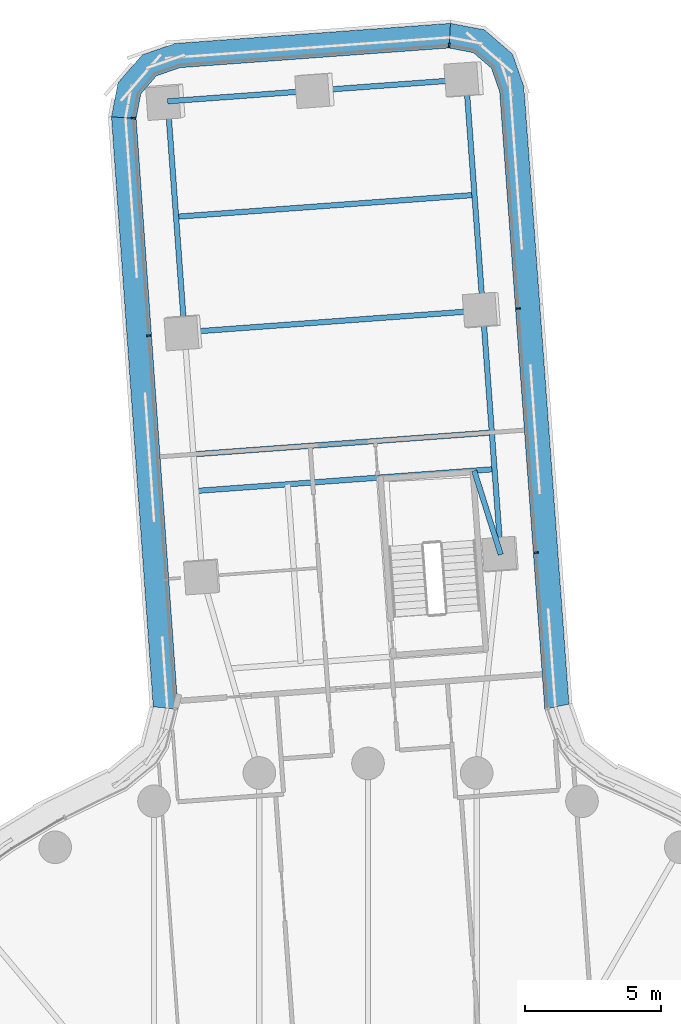
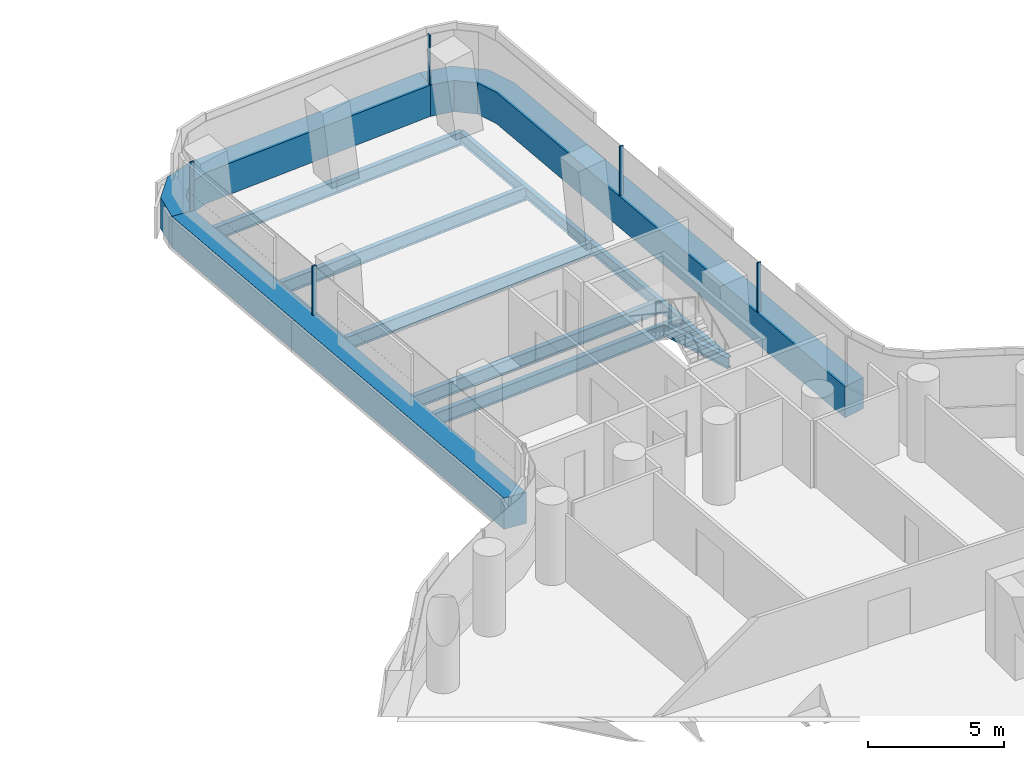
# One storey, part 15 of 31: 10 beams, 8 members, 3 elements without a shape of their own.
"""IFC4 building model written with IfcOpenShell, lengths in metres."""

from ifc_helpers import new_model, si_unit, direction, frame, origin, origin_2d, place, context, subcontext, project, spatial, polyline, rectangle, i_section, outline, extrude, material, layer, layer_set, material_profile, profile_set, type_object, element, aggregate, save


model = new_model("IFC4")

# Units and contexts
model_context = context("Model", 3, precision=1e-05, world=origin(), true_north=direction((0.0, 1.0)))
body_context = subcontext(model_context, "Body", "Model", "MODEL_VIEW")
ifc_project = project(units=[si_unit("LENGTHUNIT", "METRE"), si_unit("AREAUNIT", "SQUARE_METRE"), si_unit("VOLUMEUNIT", "CUBIC_METRE"), si_unit("PLANEANGLEUNIT", "RADIAN"), si_unit("MASSUNIT", "GRAM", prefix="KILO")], contexts=[model_context])

# Site, building, storey
site_placement = place(None, origin())
site = spatial("IfcSite", under=ifc_project, at=site_placement, CompositionType="ELEMENT")
building_placement = place(site_placement, origin())
building = spatial("IfcBuilding", under=site, at=building_placement, Name="Tamarind Cross Interchange Tower", CompositionType="ELEMENT")
storey_placement = place(building_placement, frame((0.0, 0.0, 49.0)))
storey = spatial("IfcBuildingStorey", under=building, at=storey_placement, Name="L10", CompositionType="ELEMENT", Elevation=49.0)

# Beams
ifc_material_1 = material(Name="Steel Q355B", Category="steel")
ifc_material_profile_1 = material_profile(ifc_material_1, i_section(OverallWidth=0.198974609375, OverallDepth=0.49609375, WebThickness=0.009033203125, FlangeThickness=0.013916015625, FilletRadius=0.012939453125, at=origin_2d()), Name="HN 496x199x9x14")
ifc_profile_set_1 = profile_set([ifc_material_profile_1], Name="Steel Q355B")
beam_type_1 = type_object("IfcBeamType", Name="Composite beam HN 496x199x9x14 Q355B", PredefinedType="BEAM", material=ifc_profile_set_1)
beam_1_placement = place(storey_placement, frame((3.604248046875, 48.14501953125, -0.387939453125), z_axis=(0.072873360777, -0.997341202041, 0.0), x_axis=(0.997341202041, 0.072873360777, 0.0)))
element("IfcBeam", 1, at=beam_1_placement, inside=storey, type_object=beam_type_1, Name="Beam N-edgeem5", PredefinedType="BEAM", context=body_context, shape_type="SweptSolid", body=[
    extrude(i_section(OverallWidth=0.198974609375, OverallDepth=0.49609375, WebThickness=0.009033203125, FlangeThickness=0.013916015625, FilletRadius=0.012939453125, at=origin_2d()), origin(), (0.0, 0.0, 1.0), 8.512939453125),
])
beam_2_placement = place(storey_placement, frame((4.224609375, 39.65478515625, -0.387939453125), z_axis=(0.072889426516, -0.997340028026, 0.0), x_axis=(0.997340028026, 0.072889426516, 0.0)))
element("IfcBeam", 2, at=beam_2_placement, inside=storey, type_object=beam_type_1, Name="Beam N-edgeem6", PredefinedType="BEAM", context=body_context, shape_type="SweptSolid", body=[
    extrude(i_section(OverallWidth=0.198974609375, OverallDepth=0.49609375, WebThickness=0.009033203125, FlangeThickness=0.013916015625, FilletRadius=0.012939453125, at=origin_2d()), origin(), (0.0, 0.0, 1.0), 9.0),
])
beam_3_placement = place(storey_placement, frame((-7.366455078125, 47.34326171875, -0.387939453125), z_axis=(0.072875445216, -0.997341049734, 0.0), x_axis=(0.997341049734, 0.072875445216, 0.0)))
element("IfcBeam", 3, at=beam_3_placement, inside=storey, type_object=beam_type_1, Name="Beam N-edgeep2", PredefinedType="BEAM", context=body_context, shape_type="SweptSolid", body=[
    extrude(i_section(OverallWidth=0.198974609375, OverallDepth=0.49609375, WebThickness=0.009033203125, FlangeThickness=0.013916015625, FilletRadius=0.012939453125, at=origin_2d()), origin(), (0.0, 0.0, 1.0), 8.5126953125),
])
beam_4_placement = place(storey_placement, frame((4.880615234375, 30.6787109375, -0.387939453125), z_axis=(-0.301964797546, 0.953319076198, 0.0), x_axis=(-0.953319076198, -0.301964797546, 0.0)))
element("IfcBeam", 4, at=beam_4_placement, inside=storey, type_object=beam_type_1, Name="Beam N-tr0", PredefinedType="BEAM", context=body_context, shape_type="SweptSolid", body=[
    extrude(i_section(OverallWidth=0.198974609375, OverallDepth=0.49609375, WebThickness=0.009033203125, FlangeThickness=0.013916015625, FilletRadius=0.012939453125, at=origin_2d()), origin(), (0.0, 0.0, 1.0), 3.238037109375),
])
ifc_material_profile_2 = material_profile(ifc_material_1, i_section(OverallWidth=0.199951171875, OverallDepth=0.60009765625, WebThickness=0.010986328125, FlangeThickness=0.01708984375, FilletRadius=0.012939453125, at=origin_2d()), Name="HN 600x200x11x17")
ifc_profile_set_2 = profile_set([ifc_material_profile_2], Name="Steel Q355B")
beam_type_2 = type_object("IfcBeamType", Name="Composite beam HN 600x200x11x17 Q355B", PredefinedType="BEAM", material=ifc_profile_set_2)
for number, where, z_axis, x_axis, name in (
    (5, (3.604248046875, 48.14501953125, -0.43994140625), (-0.997340181092, -0.072887332088, 0.0), (0.072887332088, -0.997340181092, 0.0), "Beam N-tip0"),
    (6, (-1.881103515625, 47.744140625, -0.43994140625), (-0.997340181092, -0.072887332088, 0.0), (0.072887332088, -0.997340181092, 0.0), "Beam N-tip1"),
):
    element("IfcBeam", number, at=place(storey_placement, frame(where, z_axis=z_axis, x_axis=x_axis)), inside=storey, type_object=beam_type_2, Name=name, PredefinedType="BEAM", context=body_context, shape_type="SweptSolid", body=[
        extrude(i_section(OverallWidth=0.199951171875, OverallDepth=0.60009765625, WebThickness=0.010986328125, FlangeThickness=0.01708984375, FilletRadius=0.012939453125, at=origin_2d()), origin(), (0.0, 0.0, 1.0), 5.5),
    ])
for number, where, z_axis, x_axis, name in (
    (7, (4.65087890625, 33.8203125, -0.43994140625), (-0.997341794259, -0.072865255264, 0.0), (0.072865255264, -0.997341794259, 0.0), "Beam N-x334"),
    (8, (4.224609375, 39.65478515625, -0.43994140625), (-0.997341794259, -0.072865255264, 0.0), (0.072865255264, -0.997341794259, 0.0), "Beam N-x393"),
    (9, (4.552490234375, 35.166748046875, -0.43994140625), (-0.997341794259, -0.072865255264, 0.0), (0.072865255264, -0.997341794259, 0.0), "Beam N-x348"),
):
    element("IfcBeam", number, at=place(storey_placement, frame(where, z_axis=z_axis, x_axis=x_axis)), inside=storey, type_object=beam_type_2, Name=name, PredefinedType="BEAM", context=body_context, shape_type="SweptSolid", body=[
        extrude(i_section(OverallWidth=0.199951171875, OverallDepth=0.60009765625, WebThickness=0.010986328125, FlangeThickness=0.01708984375, FilletRadius=0.012939453125, at=origin_2d()), origin(), (0.0, 0.0, 1.0), 11.0),
    ])
beam_5_placement = place(storey_placement, frame((3.91455078125, 43.89990234375, -0.43994140625), z_axis=(-0.997340298999, -0.072885718715, 0.0), x_axis=(0.072885718715, -0.997340298999, 0.0)))
element("IfcBeam", 10, at=beam_5_placement, inside=storey, type_object=beam_type_2, Name="Beam N-x436", PredefinedType="BEAM", context=body_context, shape_type="SweptSolid", body=[
    extrude(i_section(OverallWidth=0.199951171875, OverallDepth=0.60009765625, WebThickness=0.010986328125, FlangeThickness=0.01708984375, FilletRadius=0.012939453125, at=origin_2d()), origin(), (0.0, 0.0, 1.0), 11.000244140625),
])

# Curtain wall, member
ifc_material_2 = material(Name="Aluminium 6063-T6", Category="aluminium")
ifc_layer = layer(ifc_material_2, 0.159912109375)
ifc_layer_set = layer_set([ifc_layer], Name="Aluminium 6063-T6")
curtain_wall_type = type_object("IfcCurtainWallType", Name="Office curtain wall, 9.0 m bays", PredefinedType="NOTDEFINED", material=ifc_layer_set)
curtain_wall_1_placement = place(storey_placement, origin())
curtain_wall_1 = element("IfcCurtainWall", 11, at=curtain_wall_1_placement, inside=storey, type_object=curtain_wall_type, Name="CWS-L10-00", PredefinedType="NOTDEFINED")
ifc_material_3 = material(Name="Aluminium and insulated spandrel panel", Category="aluminium")
member_type_1 = type_object("IfcMemberType", Name="Floor-edge blade transom", PredefinedType="USERDEFINED", material=ifc_material_3)
member_1_placement = place(storey_placement, origin())
member_1 = element("IfcMember", 12, at=member_1_placement, type_object=member_type_1, Name="CWT-L10-00", ObjectType="TRANSOM", PredefinedType="USERDEFINED", context=body_context, shape_type="SweptSolid", body=[
    extrude(outline(polyline([(2.978759765625, 49.302490234375), (-6.916015625, 48.579345703125), (-7.780517578125, 48.27880859375), (-8.35205078125, 47.616943359375), (-8.524169921875, 46.717529296875), (-9.43017578125, 46.77099609375), (-9.19091796875, 48.022705078125), (-8.303955078125, 49.049560546875), (-7.099609375, 49.468505859375), (3.03125, 50.208740234375), (2.978759765625, 49.302490234375)])), origin(), (0.0, 0.0, 1.0), 1.39990234375),
])

curtain_wall_2_placement = place(storey_placement, origin())
curtain_wall_2 = element("IfcCurtainWall", 13, at=curtain_wall_2_placement, inside=storey, type_object=curtain_wall_type, Name="CWS-L10-01", PredefinedType="NOTDEFINED")
member_2_placement = place(storey_placement, origin())
member_2 = element("IfcMember", 14, at=member_2_placement, type_object=member_type_1, Name="CWT-L10-01", ObjectType="TRANSOM", PredefinedType="USERDEFINED", context=body_context, shape_type="SweptSolid", body=[
    extrude(outline(polyline([(-8.524169921875, 46.717529296875), (-6.9873046875, 25.00146484375), (-7.89501953125, 25.080810546875), (-9.43017578125, 46.77099609375), (-8.524169921875, 46.717529296875)])), origin(), (0.0, 0.0, 1.0), 1.39990234375),
])

curtain_wall_3_placement = place(storey_placement, origin())
curtain_wall_3 = element("IfcCurtainWall", 15, at=curtain_wall_3_placement, inside=storey, type_object=curtain_wall_type, Name="CWS-L10-15", PredefinedType="NOTDEFINED")
member_3_placement = place(storey_placement, origin())
member_3 = element("IfcMember", 16, at=member_3_placement, type_object=member_type_1, Name="CWT-L10-15", ObjectType="TRANSOM", PredefinedType="USERDEFINED", context=body_context, shape_type="SweptSolid", body=[
    extrude(outline(polyline([(6.498779296875, 24.999267578125), (4.84033203125, 47.6943359375), (4.53955078125, 48.558837890625), (3.8779296875, 49.130615234375), (2.978759765625, 49.302490234375), (3.03125, 50.208740234375), (4.28369140625, 49.96923828125), (5.310546875, 49.082275390625), (5.729248046875, 47.878173828125), (7.387939453125, 25.180419921875), (6.498779296875, 24.999267578125)])), origin(), (0.0, 0.0, 1.0), 1.39990234375),
])

# Member
ifc_material_profile_3 = material_profile(ifc_material_2, rectangle(XDim=0.06005859375, YDim=0.159912109375, at=origin_2d()), Name="Mullion CW1")
ifc_profile_set_3 = profile_set([ifc_material_profile_3], Name="Aluminium 6063-T6")
member_type_2 = type_object("IfcMemberType", Name="Mullion CW1", PredefinedType="MULLION", material=ifc_profile_set_3)
member_4_placement = place(storey_placement, frame((2.984619140625, 49.403076171875, 1.39990234375), z_axis=(0.0, 0.0, 1.0), x_axis=(-0.998320853447, 0.057926449675, 0.0)))
member_4 = element("IfcMember", 17, at=member_4_placement, type_object=member_type_2, Name="CWM-L10-00-00", PredefinedType="MULLION", context=body_context, shape_type="SweptSolid", body=[
    extrude(rectangle(XDim=0.06005859375, YDim=0.159912109375, at=origin_2d()), origin(), (0.0, 0.0, 1.0), 2.210205078125),
])

aggregate(curtain_wall_1, [member_4, member_1])

member_5_placement = place(storey_placement, frame((-8.624755859375, 46.723388671875, 1.39990234375), z_axis=(0.0, 0.0, 1.0), x_axis=(-0.059068617559, -0.998253924821, 0.0)))
member_5 = element("IfcMember", 18, at=member_5_placement, type_object=member_type_2, Name="CWM-L10-01-00", PredefinedType="MULLION", context=body_context, shape_type="SweptSolid", body=[
    extrude(rectangle(XDim=0.06005859375, YDim=0.159912109375, at=origin_2d()), origin(), (0.0, 0.0, 1.0), 2.210205078125),
])

member_6_placement = place(storey_placement, frame((-8.058837890625, 38.728515625, 1.39990234375), z_axis=(0.0, 0.0, 1.0), x_axis=(0.070593780008, -0.997505146966, 0.0)))
member_6 = element("IfcMember", 19, at=member_6_placement, type_object=member_type_2, Name="CWM-L10-01-01", PredefinedType="MULLION", context=body_context, shape_type="SweptSolid", body=[
    extrude(rectangle(XDim=0.06005859375, YDim=0.159912109375, at=origin_2d()), origin(), (0.0, 0.0, 1.0), 2.210205078125),
])

aggregate(curtain_wall_2, [member_5, member_6, member_2])

member_7_placement = place(storey_placement, frame((6.178955078125, 30.747802734375, 1.39990234375), z_axis=(0.0, 0.0, 1.0), x_axis=(-0.072876138746, 0.997340999058, 0.0)))
member_7 = element("IfcMember", 20, at=member_7_placement, type_object=member_type_2, Name="CWM-L10-15-01", PredefinedType="MULLION", context=body_context, shape_type="SweptSolid", body=[
    extrude(rectangle(XDim=0.06005859375, YDim=0.159912109375, at=origin_2d()), origin(), (0.0, 0.0, 1.0), 2.210205078125),
])

member_8_placement = place(storey_placement, frame((5.52294921875, 39.723388671875, 1.39990234375), z_axis=(0.0, 0.0, 1.0), x_axis=(-0.072876138746, 0.997340999058, 0.0)))
member_8 = element("IfcMember", 21, at=member_8_placement, type_object=member_type_2, Name="CWM-L10-15-02", PredefinedType="MULLION", context=body_context, shape_type="SweptSolid", body=[
    extrude(rectangle(XDim=0.06005859375, YDim=0.159912109375, at=origin_2d()), origin(), (0.0, 0.0, 1.0), 2.210205078125),
])

aggregate(curtain_wall_3, [member_7, member_8, member_3])

save(model, "model.ifc")
